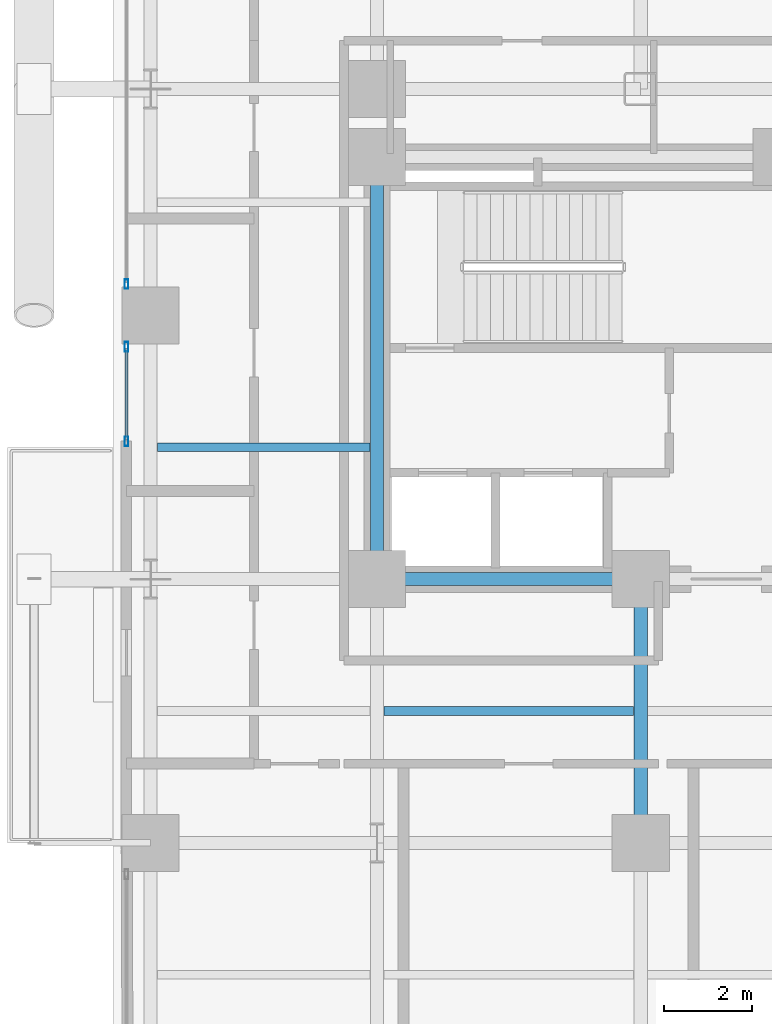
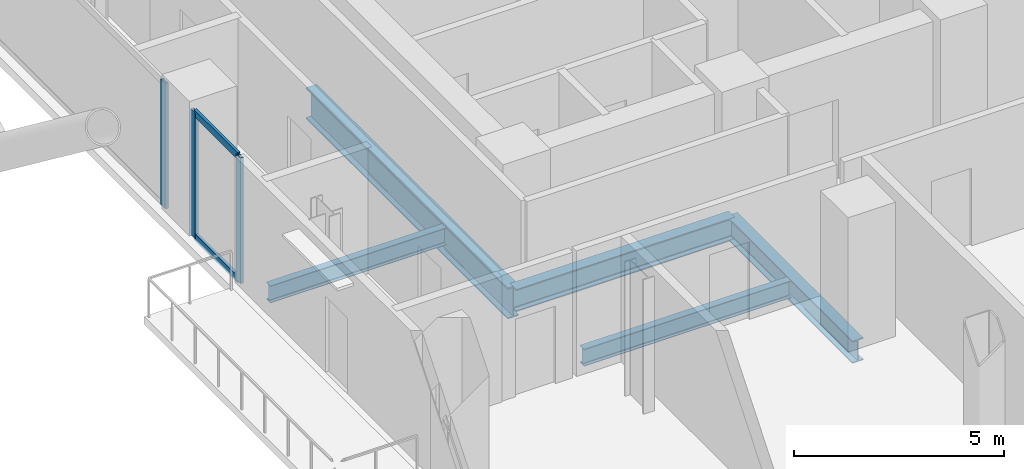
# One storey, part 5 of 25: 5 beams, 5 members, 2 elements without a shape of their own.
"""IFC4 building model written with IfcOpenShell, lengths in metres."""

from ifc_helpers import new_model, si_unit, direction, frame, origin, origin_2d, place, context, subcontext, project, spatial, hollow_rectangle, i_section, extrude, material, layer, layer_set, material_profile, profile_set, type_object, element, aggregate, save


model = new_model("IFC4")

# Units and contexts
model_context = context("Model", 3, precision=1e-05, world=origin(), true_north=direction((0.0, 1.0)))
body_context = subcontext(model_context, "Body", "Model", "MODEL_VIEW")
ifc_project = project(units=[si_unit("LENGTHUNIT", "METRE"), si_unit("AREAUNIT", "SQUARE_METRE"), si_unit("VOLUMEUNIT", "CUBIC_METRE"), si_unit("PLANEANGLEUNIT", "RADIAN"), si_unit("MASSUNIT", "GRAM", prefix="KILO"), si_unit("THERMODYNAMICTEMPERATUREUNIT", "KELVIN"), si_unit("POWERUNIT", "WATT")], contexts=[model_context])

# Site, building, storey
site_placement = place(None, origin())
site = spatial("IfcSite", under=ifc_project, at=site_placement, CompositionType="ELEMENT")
building_placement = place(site_placement, origin())
building = spatial("IfcBuilding", under=site, at=building_placement, Name="Svarakhadi Broadcast Tower", CompositionType="ELEMENT")
storey_placement = place(building_placement, frame((0.0, 0.0, 79.199951171875)))
storey = spatial("IfcBuildingStorey", under=building, at=storey_placement, Name="L18", CompositionType="ELEMENT", Elevation=79.199951171875)

# Beams
ifc_material_1 = material(Name="Steel S355J2 (IS 2062 E350C)", Category="steel")
ifc_material_profile_1 = material_profile(ifc_material_1, i_section(OverallWidth=0.199951171875, OverallDepth=0.5, WebThickness=0.01025390625, FlangeThickness=0.01611328125, FilletRadius=0.02099609375, at=origin_2d()), Name="NPB 500x200x91")
ifc_profile_set_1 = profile_set([ifc_material_profile_1], Name="Steel S355J2 (IS 2062 E350C)")
beam_type_1 = type_object("IfcBeamType", Name="Beam_NPB500", PredefinedType="BEAM", material=ifc_profile_set_1)
beam_1_placement = place(storey_placement, frame((1.010009765625, 21.0, -0.5), z_axis=(1.0, 0.0, 0.0), x_axis=(0.0, 1.0, 0.0)))
element("IfcBeam", 1, at=beam_1_placement, inside=storey, type_object=beam_type_1, Name="L18 Secondary Composite Beam SB003", PredefinedType="BEAM", context=body_context, shape_type="SweptSolid", body=[
    extrude(i_section(OverallWidth=0.199951171875, OverallDepth=0.5, WebThickness=0.01025390625, FlangeThickness=0.01611328125, FilletRadius=0.02099609375, at=origin_2d()), origin(), (0.0, 0.0, 1.0), 4.830078125),
])
beam_2_placement = place(storey_placement, frame((6.159912109375, 15.0, -0.5), z_axis=(1.0, 0.0, 0.0), x_axis=(0.0, 1.0, 0.0)))
element("IfcBeam", 2, at=beam_2_placement, inside=storey, type_object=beam_type_1, Name="L18 Secondary Composite Beam SB009", PredefinedType="BEAM", context=body_context, shape_type="SweptSolid", body=[
    extrude(i_section(OverallWidth=0.199951171875, OverallDepth=0.5, WebThickness=0.01025390625, FlangeThickness=0.01611328125, FilletRadius=0.02099609375, at=origin_2d()), origin(), (0.0, 0.0, 1.0), 5.68017578125),
])

# Curtain wall, members
ifc_material_2 = material(Name="Anodised Bronze Aluminium AA 6063-T6", Category="aluminium")
ifc_layer = layer(ifc_material_2, 0.219970703125)
ifc_layer_set = layer_set([ifc_layer], Name="Anodised Bronze Aluminium AA 6063-T6")
curtain_wall_type = type_object("IfcCurtainWallType", Name="CW_Sys_02", PredefinedType="NOTDEFINED", material=ifc_layer_set)
curtain_wall_1_placement = place(storey_placement, origin())
curtain_wall_1 = element("IfcCurtainWall", 3, at=curtain_wall_1_placement, inside=storey, type_object=curtain_wall_type, Name="L18 West Curtain Wall 03 Bay 1", PredefinedType="NOTDEFINED")
ifc_material_profile_2 = material_profile(ifc_material_2, hollow_rectangle(XDim=0.0849609375, YDim=0.219970703125, WallThickness=0.006103515625, at=origin_2d()), Name="ALU MULLION 220x85x6")
ifc_profile_set_2 = profile_set([ifc_material_profile_2], Name="Anodised Bronze Aluminium AA 6063-T6")
member_type_1 = type_object("IfcMemberType", Name="CW_Sys_02_Mul", PredefinedType="MULLION", material=ifc_profile_set_2)
member_1_placement = place(storey_placement, frame((0.300048828125, 21.132568359375, 0.0), z_axis=(0.0, 0.0, 1.0), x_axis=(-1.0, 0.0, 0.0)))
member_1 = element("IfcMember", 4, at=member_1_placement, type_object=member_type_1, Name="CW-02 mullion 1", PredefinedType="MULLION", context=body_context, shape_type="SweptSolid", body=[
    extrude(hollow_rectangle(XDim=0.0849609375, YDim=0.219970703125, WallThickness=0.006103515625, at=origin_2d()), origin(), (0.0, 0.0, 1.0), 3.650146484375),
])
member_2_placement = place(storey_placement, frame((0.300048828125, 23.28759765625, 0.0), z_axis=(0.0, 0.0, 1.0), x_axis=(-1.0, 0.0, 0.0)))
member_2 = element("IfcMember", 5, at=member_2_placement, type_object=member_type_1, Name="CW-02 mullion 2", PredefinedType="MULLION", context=body_context, shape_type="SweptSolid", body=[
    extrude(hollow_rectangle(XDim=0.0849609375, YDim=0.219970703125, WallThickness=0.006103515625, at=origin_2d()), origin(), (0.0, 0.0, 1.0), 3.650146484375),
])

# Curtain wall, member
curtain_wall_2_placement = place(storey_placement, origin())
curtain_wall_2 = element("IfcCurtainWall", 6, at=curtain_wall_2_placement, inside=storey, type_object=curtain_wall_type, Name="L18 West Curtain Wall 03 Bay 2", PredefinedType="NOTDEFINED")
member_3_placement = place(storey_placement, frame((0.300048828125, 24.71240234375, 0.0), z_axis=(0.0, 0.0, 1.0), x_axis=(-1.0, 0.0, 0.0)))
member_3 = element("IfcMember", 7, at=member_3_placement, type_object=member_type_1, Name="CW-02 mullion 1", PredefinedType="MULLION", context=body_context, shape_type="SweptSolid", body=[
    extrude(hollow_rectangle(XDim=0.0849609375, YDim=0.219970703125, WallThickness=0.006103515625, at=origin_2d()), origin(), (0.0, 0.0, 1.0), 3.650146484375),
])
aggregate(curtain_wall_2, [member_3])

# Member
ifc_material_profile_3 = material_profile(ifc_material_2, hollow_rectangle(XDim=0.074951171875, YDim=0.199951171875, WallThickness=0.0048828125, at=origin_2d()), Name="ALU TRANSOM 200x75x5")
ifc_profile_set_3 = profile_set([ifc_material_profile_3], Name="Anodised Bronze Aluminium AA 6063-T6")
member_type_2 = type_object("IfcMemberType", Name="CW_Sys_02_Trn", PredefinedType="USERDEFINED", material=ifc_profile_set_3)
member_4_placement = place(storey_placement, frame((0.300048828125, 21.175048828125, 0.03759765625), z_axis=(0.0, 1.0, 0.0), x_axis=(-1.0, 0.0, 0.0)))
member_4 = element("IfcMember", 8, at=member_4_placement, type_object=member_type_2, Name="CW-02 transom 1.1", ObjectType="TRANSOM", PredefinedType="USERDEFINED", context=body_context, shape_type="SweptSolid", body=[
    extrude(hollow_rectangle(XDim=0.074951171875, YDim=0.199951171875, WallThickness=0.0048828125, at=origin_2d()), origin(), (0.0, 0.0, 1.0), 2.070068359375),
])

member_5_placement = place(storey_placement, frame((0.300048828125, 21.175048828125, 3.612548828125), z_axis=(0.0, 1.0, 0.0), x_axis=(-1.0, 0.0, 0.0)))
member_5 = element("IfcMember", 9, at=member_5_placement, type_object=member_type_2, Name="CW-02 transom 1.2", ObjectType="TRANSOM", PredefinedType="USERDEFINED", context=body_context, shape_type="SweptSolid", body=[
    extrude(hollow_rectangle(XDim=0.074951171875, YDim=0.199951171875, WallThickness=0.0048828125, at=origin_2d()), origin(), (0.0, 0.0, 1.0), 2.070068359375),
])

aggregate(curtain_wall_1, [member_1, member_2, member_4, member_5])

# Beams
ifc_material_profile_4 = material_profile(ifc_material_1, i_section(OverallWidth=0.300048828125, OverallDepth=0.64990234375, WebThickness=0.01611328125, FlangeThickness=0.031005859375, FilletRadius=0.027099609375, at=origin_2d()), Name="WPB 650x300x225")
ifc_profile_set_4 = profile_set([ifc_material_profile_4], Name="Steel S355J2 (IS 2062 E350C)")
beam_type_2 = type_object("IfcBeamType", Name="Girder_WPB650", PredefinedType="USERDEFINED", material=ifc_profile_set_4)
for number, where, z_axis, x_axis, name in (
    (10, (6.0, 18.0, -0.574951171875), (1.0, 0.0, 0.0), (0.0, 1.0, 0.0), "L18 Primary E-W Girder G026"),
    (11, (12.0, 12.0, -0.574951171875), (0.0, 1.0, 0.0), (-1.0, 0.0, 0.0), "L18 Primary N-S Girder G060"),
):
    element("IfcBeam", number, at=place(storey_placement, frame(where, z_axis=z_axis, x_axis=x_axis)), inside=storey, type_object=beam_type_2, Name=name, ObjectType="GIRDER", PredefinedType="USERDEFINED", context=body_context, shape_type="SweptSolid", body=[
        extrude(i_section(OverallWidth=0.300048828125, OverallDepth=0.64990234375, WebThickness=0.01611328125, FlangeThickness=0.031005859375, FilletRadius=0.027099609375, at=origin_2d()), origin(), (0.0, 0.0, 1.0), 6.0),
    ])
ifc_material_3 = material(Name="Steel S460ML (IS 2062 E450BR)", Category="steel")
ifc_material_profile_5 = material_profile(ifc_material_3, i_section(OverallWidth=0.300048828125, OverallDepth=0.89990234375, WebThickness=0.0185546875, FlangeThickness=0.034912109375, FilletRadius=0.030029296875, at=origin_2d()), Name="WPB 900x300x291")
ifc_profile_set_5 = profile_set([ifc_material_profile_5], Name="Steel S460ML (IS 2062 E450BR)")
beam_type_3 = type_object("IfcBeamType", Name="Girder_WPB900", PredefinedType="USERDEFINED", material=ifc_profile_set_5)
beam_3_placement = place(storey_placement, frame((6.0, 18.0, -0.699951171875), z_axis=(0.0, 1.0, 0.0), x_axis=(-1.0, 0.0, 0.0)))
element("IfcBeam", 12, at=beam_3_placement, inside=storey, type_object=beam_type_3, Name="L18 Primary N-S Girder G054", ObjectType="GIRDER", PredefinedType="USERDEFINED", context=body_context, shape_type="SweptSolid", body=[
    extrude(i_section(OverallWidth=0.300048828125, OverallDepth=0.89990234375, WebThickness=0.0185546875, FlangeThickness=0.034912109375, FilletRadius=0.030029296875, at=origin_2d()), origin(), (0.0, 0.0, 1.0), 9.60009765625),
])

save(model, "model.ifc")
